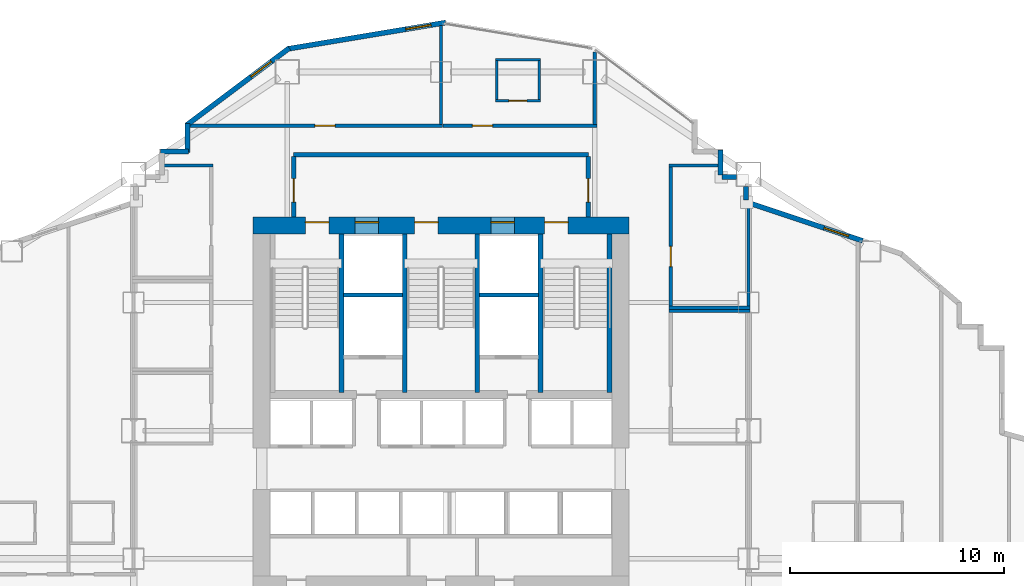
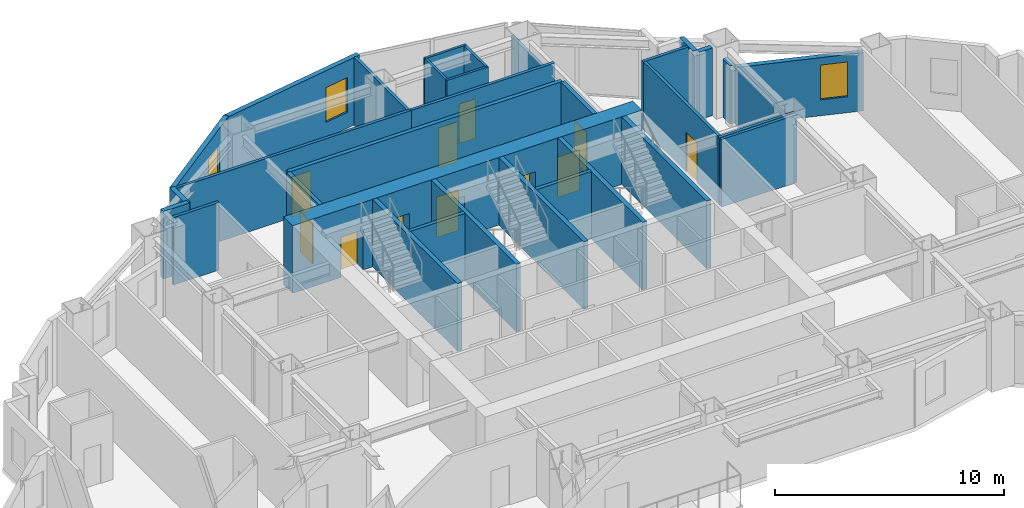
# One storey, part 11 of 15: 33 walls, 11 doors, 3 windows, 14 openings.
"""IFC4 building model written with IfcOpenShell, lengths in metres."""

import ifcopenshell
import ifcopenshell.guid

model = None  # the IFC model being written
_history = None  # IfcOwnerHistory: only IFC2X3 demands one
_inside = {}  # id of a spatial element -> (the spatial element, [elements in it])
_under = {}  # id of a project, library or spatial element -> (it, [spatial elements below it])
_declared = {}  # id of a project -> (the project, [libraries it declares])
_typed = {}  # id of a type object -> (the type object, [elements of that type])
_made_of = {}  # id of a material, layer set ... -> (it, [elements and type objects made of it])


def new_model(schema):
    """Start an empty IFC model of exactly this schema.

    Asked for "IFC4X3", IfcOpenShell would pick the latest addendum, in which some entities
    have other attributes; the version numbers below select the first issue.
    IFC2X3 requires an IfcOwnerHistory on every rooted entity: one is made here for all.
    """
    global model, _history
    if schema == "IFC4X3":
        model = ifcopenshell.file(schema_version=(4, 3, 0, 0))
    else:
        model = ifcopenshell.file(schema=schema)
    _inside.clear()
    _under.clear()
    _declared.clear()
    _typed.clear()
    _made_of.clear()
    _history = None
    if model.schema == "IFC2X3":
        org = make("IfcOrganization", Name="unknown")
        user = make(
            "IfcPersonAndOrganization",
            ThePerson=make("IfcPerson", FamilyName="unknown"),
            TheOrganization=org,
        )
        app = make(
            "IfcApplication",
            ApplicationDeveloper=org,
            Version="unknown",
            ApplicationFullName="unknown",
            ApplicationIdentifier="unknown",
        )
        _history = make(
            "IfcOwnerHistory",
            OwningUser=user,
            OwningApplication=app,
            ChangeAction="ADDED",
            CreationDate=0,
        )
    return model


def make(cls, **values):
    """One entity of the class cls with the attributes given. An attribute that is None is left unset."""
    return model.create_entity(
        cls, **{name: value for name, value in values.items() if value is not None}
    )


def rooted(cls, **values):
    """An entity with a GlobalId (a new one), such as an element, a storey or a relation."""
    return make(cls, GlobalId=ifcopenshell.guid.new(), OwnerHistory=_history, **values)


def si_unit(unit_type, name, prefix=None):
    """IfcSIUnit, for example si_unit("LENGTHUNIT", "METRE", prefix="MILLI")."""
    return make("IfcSIUnit", UnitType=unit_type, Prefix=prefix, Name=name)


def assignment(units):
    """IfcUnitAssignment: the units of a project."""
    return None if units is None else make("IfcUnitAssignment", Units=units)


def point(xyz):
    """IfcCartesianPoint."""
    return None if xyz is None else make("IfcCartesianPoint", Coordinates=xyz)


def direction(xyz):
    """IfcDirection."""
    return None if xyz is None else make("IfcDirection", DirectionRatios=xyz)


def frame(location, z_axis=None, x_axis=None):
    """IfcAxis2Placement3D, a coordinate frame: its origin and axes. An axis left out is left unset."""
    return make(
        "IfcAxis2Placement3D",
        Location=point(location),
        Axis=direction(z_axis),
        RefDirection=direction(x_axis),
    )


def frame_2d(location, x_axis=None):
    """IfcAxis2Placement2D, a coordinate frame in the plane: its origin and x axis."""
    return make(
        "IfcAxis2Placement2D", Location=point(location), RefDirection=direction(x_axis)
    )


def origin():
    """The frame at (0, 0, 0) with its axes left unset."""
    return frame((0.0, 0.0, 0.0))


def place(relative_to, where):
    """IfcLocalPlacement: puts the frame where relative to a parent placement (None: the world)."""
    return make(
        "IfcLocalPlacement", PlacementRelTo=relative_to, RelativePlacement=where
    )


def context(
    kind, dimensions, precision=None, world=None, true_north=None, identifier=None
):
    """IfcGeometricRepresentationContext, for example the 3D "Model" context."""
    return make(
        "IfcGeometricRepresentationContext",
        ContextIdentifier=identifier,
        ContextType=kind,
        CoordinateSpaceDimension=dimensions,
        Precision=precision,
        WorldCoordinateSystem=world,
        TrueNorth=true_north,
    )


def subcontext(parent, identifier, kind, view, scale=None):
    """IfcGeometricRepresentationSubContext, for example "Body" below "Model"."""
    return make(
        "IfcGeometricRepresentationSubContext",
        ContextIdentifier=identifier,
        ContextType=kind,
        ParentContext=parent,
        TargetScale=scale,
        TargetView=view,
    )


def project(units=None, contexts=None):
    """IfcProject with its units and contexts."""
    return rooted(
        "IfcProject",
        Name="project",
        RepresentationContexts=contexts,
        UnitsInContext=assignment(units),
    )


def spatial(cls, under=None, at=None, **own):
    """A site, building, storey or space (cls), placed at a placement, below another one or the project."""
    s = rooted(cls, ObjectPlacement=at, **own)
    if under is not None:
        _under.setdefault(under.id(), (under, []))[1].append(s)
    return s


def profile(cls, at=None, kind="AREA", **sizes):
    """A parametric profile (cls). Its sizes go by their IFC names, for example OverallWidth=200.0."""
    return make(cls, ProfileType=kind, Position=at, **sizes)


def rectangle(**sizes):
    """IfcRectangleProfileDef."""
    return profile("IfcRectangleProfileDef", **sizes)


def extrude(swept, where, along, depth):
    """IfcExtrudedAreaSolid: the profile swept, set in the frame where, extruded along a direction by depth."""
    return make(
        "IfcExtrudedAreaSolid",
        SweptArea=swept,
        Position=where,
        ExtrudedDirection=direction(along),
        Depth=depth,
    )


def shape(context_of_items, identifier, shape_type, items):
    """IfcShapeRepresentation: the items that make up one representation, for example the "Body"."""
    return make(
        "IfcShapeRepresentation",
        ContextOfItems=context_of_items,
        RepresentationIdentifier=identifier,
        RepresentationType=shape_type,
        Items=items,
    )


def material(Name=None, Category=None):
    """IfcMaterial."""
    return make("IfcMaterial", Name=Name, Category=Category)


def layer(
    of_material, thickness, ventilated=None, Name=None, Category=None, Priority=None
):
    """IfcMaterialLayer: one layer of a wall or slab, of a material (None: an air gap)."""
    return make(
        "IfcMaterialLayer",
        Material=of_material,
        LayerThickness=thickness,
        IsVentilated=ventilated,
        Name=Name,
        Category=Category,
        Priority=Priority,
    )


def layer_set(layers, Name=None):
    """IfcMaterialLayerSet."""
    return make("IfcMaterialLayerSet", MaterialLayers=layers, LayerSetName=Name)


def made_of(thing, what):
    """Note that an element or type object is made of a material, layer set ...; save() writes the relation."""
    if what is not None:
        _made_of.setdefault(what.id(), (what, []))[1].append(thing)
    return thing


def type_object(cls, material=None, **own):
    """A type object (cls), such as IfcWallType, which elements share."""
    return made_of(rooted(cls, **own), material)


def element(
    cls,
    number,
    at=None,
    inside=None,
    cuts=None,
    type_object=None,
    material=None,
    context=None,
    identifier="Body",
    shape_type=None,
    held_by="IfcProductDefinitionShape",
    body=None,
    shapes=None,
    **own,
):
    """One element of the class cls, such as IfcWall. Its Tag is "e" and its number.

    at: its placement. inside: the storey or other place that contains it. cuts: it is an
    opening in that element (IfcRelVoidsElement). A single representation is given by context,
    identifier, shape_type and body (its items); several are given by shapes. held_by: the class
    of the entity that holds the representations. save() writes the other relations.
    """
    e = rooted(cls, Tag="e%d" % number, ObjectPlacement=at, **own)
    if body is not None:
        shapes = [shape(context, identifier, shape_type, body)]
    if shapes is not None:
        e.Representation = make(held_by, Representations=shapes)
    if inside is not None:
        _inside.setdefault(inside.id(), (inside, []))[1].append(e)
    if cuts is not None:
        rooted(
            "IfcRelVoidsElement", RelatingBuildingElement=cuts, RelatedOpeningElement=e
        )
    if type_object is not None:
        _typed.setdefault(type_object.id(), (type_object, []))[1].append(e)
    return made_of(e, material)


def fill(opening, filler):
    """IfcRelFillsElement: the door or window that sits in an opening."""
    return rooted(
        "IfcRelFillsElement",
        RelatingOpeningElement=opening,
        RelatedBuildingElement=filler,
    )


def aggregate(whole, parts):
    """IfcRelAggregates: a whole, such as a stair, and the parts it consists of."""
    return rooted("IfcRelAggregates", RelatingObject=whole, RelatedObjects=parts)


def save(model, path):
    """Write the relations noted so far, then the file.

    IfcRelAggregates (storeys below a building ...), IfcRelContainedInSpatialStructure (elements
    in a storey), IfcRelDefinesByType, IfcRelAssociatesMaterial and IfcRelDeclares: one each for
    every whole, place, type object, material and project.
    """
    for whole, parts in _under.values():
        aggregate(whole, parts)
    for where, things in _inside.values():
        rooted(
            "IfcRelContainedInSpatialStructure",
            RelatedElements=things,
            RelatingStructure=where,
        )
    for kind, things in _typed.values():
        rooted("IfcRelDefinesByType", RelatedObjects=things, RelatingType=kind)
    for what, things in _made_of.values():
        rooted("IfcRelAssociatesMaterial", RelatedObjects=things, RelatingMaterial=what)
    for by, libraries in _declared.values():
        rooted("IfcRelDeclares", RelatingContext=by, RelatedDefinitions=libraries)
    model.write(path)


model = new_model("IFC4")

# Units and contexts
model_context = context("Model", 3, precision=1e-05, world=origin(), true_north=direction((0.0, 1.0)))
body_context = subcontext(model_context, "Body", "Model", "MODEL_VIEW")
ifc_project = project(units=[si_unit("LENGTHUNIT", "METRE"), si_unit("AREAUNIT", "SQUARE_METRE"), si_unit("VOLUMEUNIT", "CUBIC_METRE"), si_unit("PLANEANGLEUNIT", "RADIAN"), si_unit("MASSUNIT", "GRAM", prefix="KILO")], contexts=[model_context])

# Site, building, storey
site_placement = place(None, origin())
site = spatial("IfcSite", under=ifc_project, at=site_placement, CompositionType="ELEMENT")
building_placement = place(site_placement, origin())
building = spatial("IfcBuilding", under=site, at=building_placement, Name="Haolan Belvedere Tower", CompositionType="ELEMENT")
storey_placement = place(building_placement, frame((0.0, 0.0, 66.60009765625)))
storey = spatial("IfcBuildingStorey", under=building, at=storey_placement, Name="L16", CompositionType="ELEMENT", Elevation=66.60009765625)

# Wall, openings, doors
ifc_material_1 = material(Name="Concrete C70/85", Category="concrete")
ifc_layer_1 = layer(ifc_material_1, 0.800048828125, Name="Concrete C70/85")
ifc_layer_set_1 = layer_set([ifc_layer_1], Name="Concrete C70/85")
wall_type_1 = type_object("IfcWallType", Name="WL-CORE-800", PredefinedType="SHEAR", material=ifc_layer_set_1)
wall_1_placement = place(storey_placement, frame((29.60009765625, 43.199951171875, 0.0), z_axis=(0.0, 0.0, 1.0), x_axis=(1.0, 0.0, 0.0)))
wall_1 = element("IfcWall", 1, at=wall_1_placement, inside=storey, type_object=wall_type_1, Name="L16 central core north shear wall", PredefinedType="SHEAR", context=body_context, shape_type="SweptSolid", body=[
    extrude(rectangle(XDim=17.599853515625, YDim=0.800048828125, at=frame_2d((8.7998046875, 0.0))), origin(), (0.0, 0.0, 1.0), 3.599853515625),
])
opening_1_placement = place(wall_1_placement, frame((2.449951171875, 0.0, 0.0)))
opening_1 = element("IfcOpeningElement", 2, at=opening_1_placement, cuts=wall_1, Name="Opening FD-03", PredefinedType="OPENING", context=body_context, shape_type="SweptSolid", body=[
    extrude(rectangle(XDim=1.10009765625, YDim=2.14990234375, at=frame_2d((0.550048828125, 1.074951171875))), frame((0.0, 0.409912109375, 0.0), z_axis=(0.0, -1.0, 0.0), x_axis=(1.0, 0.0, 0.0)), (0.0, 0.0, 1.0), 0.820068359375),
])
opening_2_placement = place(wall_1_placement, frame((7.56005859375, 0.0, 0.0)))
opening_2 = element("IfcOpeningElement", 3, at=opening_2_placement, cuts=wall_1, Name="Opening FD-03", PredefinedType="OPENING", context=body_context, shape_type="SweptSolid", body=[
    extrude(rectangle(XDim=1.10009765625, YDim=2.14990234375, at=frame_2d((0.550048828125, 1.074951171875))), frame((0.0, 0.409912109375, 0.0), z_axis=(0.0, -1.0, 0.0), x_axis=(1.0, 0.0, 0.0)), (0.0, 0.0, 1.0), 0.820068359375),
])
opening_3_placement = place(wall_1_placement, frame((13.64990234375, 0.0, 0.0)))
opening_3 = element("IfcOpeningElement", 4, at=opening_3_placement, cuts=wall_1, Name="Opening FD-03", PredefinedType="OPENING", context=body_context, shape_type="SweptSolid", body=[
    extrude(rectangle(XDim=1.10009765625, YDim=2.14990234375, at=frame_2d((0.550048828125, 1.074951171875))), frame((0.0, 0.409912109375, 0.0), z_axis=(0.0, -1.0, 0.0), x_axis=(1.0, 0.0, 0.0)), (0.0, 0.0, 1.0), 0.820068359375),
])
opening_4_placement = place(wall_1_placement, frame((4.780029296875, 0.0, 0.0)))
opening_4 = element("IfcOpeningElement", 5, at=opening_4_placement, cuts=wall_1, Name="Opening LD-01", PredefinedType="OPENING", context=body_context, shape_type="SweptSolid", body=[
    extrude(rectangle(XDim=1.10009765625, YDim=2.199951171875, at=frame_2d((0.550048828125, 1.10009765625))), frame((0.0, 0.409912109375, 0.0), z_axis=(0.0, -1.0, 0.0), x_axis=(1.0, 0.0, 0.0)), (0.0, 0.0, 1.0), 0.820068359375),
])
opening_5_placement = place(wall_1_placement, frame((11.139892578125, 0.0, 0.0)))
opening_5 = element("IfcOpeningElement", 6, at=opening_5_placement, cuts=wall_1, Name="Opening LD-01", PredefinedType="OPENING", context=body_context, shape_type="SweptSolid", body=[
    extrude(rectangle(XDim=1.10009765625, YDim=2.199951171875, at=frame_2d((0.550048828125, 1.10009765625))), frame((0.0, 0.409912109375, 0.0), z_axis=(0.0, -1.0, 0.0), x_axis=(1.0, 0.0, 0.0)), (0.0, 0.0, 1.0), 0.820068359375),
])
ifc_material_2 = material(Name="Galvanised fire-rated steel", Category="steel")
door_type_1 = type_object("IfcDoorType", Name="DR-FD90-1100", OperationType="NOTDEFINED", PredefinedType="DOOR", material=ifc_material_2)
door_1_placement = place(opening_1_placement, origin())
door_1 = element("IfcDoor", 7, at=door_1_placement, inside=storey, type_object=door_type_1, Name="L16 door CD-L16-ST1", OperationType="SINGLE_SWING_LEFT", OverallHeight=2.14990234375, OverallWidth=1.10009765625, PredefinedType="DOOR", context=body_context, shape_type="SweptSolid", body=[
    extrude(rectangle(XDim=1.10009765625, YDim=2.14990234375, at=frame_2d((0.550048828125, 1.074951171875))), frame((0.0, 0.18505859375, 0.0), z_axis=(0.0, -1.0, 0.0), x_axis=(1.0, 0.0, 0.0)), (0.0, 0.0, 1.0), 0.050048828125),
])
fill(opening_1, door_1)
door_2_placement = place(opening_2_placement, origin())
door_2 = element("IfcDoor", 8, at=door_2_placement, inside=storey, type_object=door_type_1, Name="L16 door CD-L16-ST3", OperationType="SINGLE_SWING_LEFT", OverallHeight=2.14990234375, OverallWidth=1.10009765625, PredefinedType="DOOR", context=body_context, shape_type="SweptSolid", body=[
    extrude(rectangle(XDim=1.10009765625, YDim=2.14990234375, at=frame_2d((0.550048828125, 1.074951171875))), frame((0.0, 0.18505859375, 0.0), z_axis=(0.0, -1.0, 0.0), x_axis=(1.0, 0.0, 0.0)), (0.0, 0.0, 1.0), 0.050048828125),
])
fill(opening_2, door_2)
door_3_placement = place(opening_3_placement, origin())
door_3 = element("IfcDoor", 9, at=door_3_placement, inside=storey, type_object=door_type_1, Name="L16 door CD-L16-ST2", OperationType="SINGLE_SWING_RIGHT", OverallHeight=2.14990234375, OverallWidth=1.10009765625, PredefinedType="DOOR", context=body_context, shape_type="SweptSolid", body=[
    extrude(rectangle(XDim=1.10009765625, YDim=2.14990234375, at=frame_2d((0.550048828125, 1.074951171875))), frame((0.0, 0.18505859375, 0.0), z_axis=(0.0, -1.0, 0.0), x_axis=(1.0, 0.0, 0.0)), (0.0, 0.0, 1.0), 0.050048828125),
])
fill(opening_3, door_3)
ifc_material_3 = material(Name="Brushed champagne stainless steel 316L", Category="steel")
door_type_2 = type_object("IfcDoorType", Name="DR-LIFT-1100", OperationType="SLIDING_TO_LEFT", PredefinedType="DOOR", material=ifc_material_3)
door_4_placement = place(opening_4_placement, origin())
door_4 = element("IfcDoor", 10, at=door_4_placement, inside=storey, type_object=door_type_2, Name="L16 door LD-L16-FF1", OperationType="SLIDING_TO_LEFT", OverallHeight=2.199951171875, OverallWidth=1.10009765625, PredefinedType="DOOR", context=body_context, shape_type="SweptSolid", body=[
    extrude(rectangle(XDim=1.10009765625, YDim=2.199951171875, at=frame_2d((0.550048828125, 1.10009765625))), frame((0.0, 0.18505859375, 0.0), z_axis=(0.0, -1.0, 0.0), x_axis=(1.0, 0.0, 0.0)), (0.0, 0.0, 1.0), 0.050048828125),
])
fill(opening_4, door_4)
door_5_placement = place(opening_5_placement, origin())
door_5 = element("IfcDoor", 11, at=door_5_placement, inside=storey, type_object=door_type_2, Name="L16 door LD-L16-FF2", OperationType="SLIDING_TO_LEFT", OverallHeight=2.199951171875, OverallWidth=1.10009765625, PredefinedType="DOOR", context=body_context, shape_type="SweptSolid", body=[
    extrude(rectangle(XDim=1.10009765625, YDim=2.199951171875, at=frame_2d((0.550048828125, 1.10009765625))), frame((0.0, 0.18505859375, 0.0), z_axis=(0.0, -1.0, 0.0), x_axis=(1.0, 0.0, 0.0)), (0.0, 0.0, 1.0), 0.050048828125),
])
fill(opening_5, door_5)

# Wall, opening, window
ifc_material_4 = material(Name="Precast concrete C40/50", Category="concrete")
ifc_layer_2 = layer(ifc_material_4, 0.239990234375, Name="Precast concrete C40/50")
ifc_layer_set_2 = layer_set([ifc_layer_2], Name="Precast concrete C40/50")
wall_type_2 = type_object("IfcWallType", Name="WL-EXT-240", PredefinedType="SOLIDWALL", material=ifc_layer_set_2)
wall_2_placement = place(storey_placement, frame((58.14453125, 42.491943359375, 0.0), z_axis=(0.0, 0.0, 1.0), x_axis=(-0.948683298051, 0.316227766017, 0.0)))
wall_2 = element("IfcWall", 12, at=wall_2_placement, inside=storey, type_object=wall_type_2, Name="L16 pale-metal exterior spandrel wall 35.2", PredefinedType="SOLIDWALL", context=body_context, shape_type="SweptSolid", body=[
    extrude(rectangle(XDim=5.67529296875, YDim=0.239990234375, at=frame_2d((2.837646484375, 0.0))), origin(), (0.0, 0.0, 1.0), 3.096923828125),
])
opening_6_placement = place(wall_2_placement, frame((0.699951171875, 0.0, 0.85009765625)))
opening_6 = element("IfcOpeningElement", 13, at=opening_6_placement, cuts=wall_2, Name="Opening W-01", PredefinedType="OPENING", context=body_context, shape_type="SweptSolid", body=[
    extrude(rectangle(XDim=1.199951171875, YDim=1.85009765625, at=frame_2d((0.60009765625, 0.925048828125))), frame((0.0, 0.1298828125, 0.0), z_axis=(0.0, -1.0, 0.0), x_axis=(1.0, 0.0, 0.0)), (0.0, 0.0, 1.0), 0.260009765625),
])
ifc_material_5 = material(Name="Anodised aluminium 6063-T6 and Low-E glass", Category="aluminium")
window_type = type_object("IfcWindowType", Name="WN-DECO-Z1", PartitioningType="SINGLE_PANEL", PredefinedType="WINDOW", material=ifc_material_5)
window_1_placement = place(opening_6_placement, origin())
window_1 = element("IfcWindow", 14, at=window_1_placement, inside=storey, type_object=window_type, Name="L16 Art Deco chevron window 1", OverallHeight=1.85009765625, OverallWidth=1.199951171875, PartitioningType="SINGLE_PANEL", PredefinedType="WINDOW", context=body_context, shape_type="SweptSolid", body=[
    extrude(rectangle(XDim=1.199951171875, YDim=1.85009765625, at=frame_2d((0.60009765625, 0.925048828125))), frame((0.0, 0.030029296875, 0.0), z_axis=(0.0, -1.0, 0.0), x_axis=(1.0, 0.0, 0.0)), (0.0, 0.0, 1.0), 0.06005859375),
])
fill(opening_6, window_1)

# Walls
wall_3_placement = place(storey_placement, frame((52.679931640625, 44.3984375, 0.0), z_axis=(0.0, 0.0, 1.0), x_axis=(0.0, 1.0, 0.0)))
element("IfcWall", 15, at=wall_3_placement, inside=storey, type_object=wall_type_2, Name="L16 pale-metal exterior spandrel wall 36.1", PredefinedType="SOLIDWALL", context=body_context, shape_type="SweptSolid", body=[
    extrude(rectangle(XDim=0.634521484375, YDim=0.239990234375, at=frame_2d((0.3173828125, 0.0))), origin(), (0.0, 0.0, 1.0), 3.096923828125),
])
wall_4_placement = place(storey_placement, frame((52.23291015625, 45.47998046875, 0.0), z_axis=(0.0, 0.0, 1.0), x_axis=(-1.0, 0.0, 0.0)))
element("IfcWall", 16, at=wall_4_placement, inside=storey, type_object=wall_type_2, Name="L16 pale-metal exterior spandrel wall 37.1", PredefinedType="SOLIDWALL", context=body_context, shape_type="SweptSolid", body=[
    extrude(rectangle(XDim=0.66796875, YDim=0.239990234375, at=frame_2d((0.333984375, 0.0))), origin(), (0.0, 0.0, 1.0), 3.599853515625),
])
wall_5_placement = place(storey_placement, frame((51.47998046875, 45.56494140625, 0.0), z_axis=(0.0, 0.0, 1.0), x_axis=(0.0, 1.0, 0.0)))
element("IfcWall", 17, at=wall_5_placement, inside=storey, type_object=wall_type_2, Name="L16 pale-metal exterior spandrel wall 38.1", PredefinedType="SOLIDWALL", context=body_context, shape_type="SweptSolid", body=[
    extrude(rectangle(XDim=1.170166015625, YDim=0.239990234375, at=frame_2d((0.5849609375, 0.0))), origin(), (0.0, 0.0, 1.0), 3.599853515625),
])

# Wall, opening, window
wall_6_placement = place(storey_placement, frame((38.621826171875, 52.71533203125, 0.0), z_axis=(0.0, 0.0, 1.0), x_axis=(-0.98639129485, -0.164414760418, 0.0)))
wall_6 = element("IfcWall", 18, at=wall_6_placement, inside=storey, type_object=wall_type_2, Name="L16 pale-metal exterior spandrel wall 43.1", PredefinedType="SOLIDWALL", context=body_context, shape_type="SweptSolid", body=[
    extrude(rectangle(XDim=7.530029296875, YDim=0.239990234375, at=frame_2d((3.76513671875, 0.0))), origin(), (0.0, 0.0, 1.0), 3.599853515625),
])
opening_7_placement = place(wall_6_placement, frame((0.699951171875, 0.0, 0.85009765625)))
opening_7 = element("IfcOpeningElement", 19, at=opening_7_placement, cuts=wall_6, Name="Opening W-01", PredefinedType="OPENING", context=body_context, shape_type="SweptSolid", body=[
    extrude(rectangle(XDim=1.199951171875, YDim=1.85009765625, at=frame_2d((0.60009765625, 0.925048828125))), frame((0.0, 0.1298828125, 0.0), z_axis=(0.0, -1.0, 0.0), x_axis=(1.0, 0.0, 0.0)), (0.0, 0.0, 1.0), 0.260009765625),
])
window_2_placement = place(opening_7_placement, origin())
window_2 = element("IfcWindow", 20, at=window_2_placement, inside=storey, type_object=window_type, Name="L16 Art Deco chevron window 1", OverallHeight=1.85009765625, OverallWidth=1.199951171875, PartitioningType="SINGLE_PANEL", PredefinedType="WINDOW", context=body_context, shape_type="SweptSolid", body=[
    extrude(rectangle(XDim=1.199951171875, YDim=1.85009765625, at=frame_2d((0.60009765625, 0.925048828125))), frame((0.0, 0.030029296875, 0.0), z_axis=(0.0, -1.0, 0.0), x_axis=(1.0, 0.0, 0.0)), (0.0, 0.0, 1.0), 0.06005859375),
])
fill(opening_7, window_2)

wall_7_placement = place(storey_placement, frame((31.29248046875, 51.519287109375, 0.0), z_axis=(0.0, 0.0, 1.0), x_axis=(-0.8, -0.6, 0.0)))
wall_7 = element("IfcWall", 21, at=wall_7_placement, inside=storey, type_object=wall_type_2, Name="L16 pale-metal exterior spandrel wall 44.1", PredefinedType="SOLIDWALL", context=body_context, shape_type="SweptSolid", body=[
    extrude(rectangle(XDim=6.0205078125, YDim=0.239990234375, at=frame_2d((3.01025390625, 0.0))), origin(), (0.0, 0.0, 1.0), 3.599853515625),
])
opening_8_placement = place(wall_7_placement, frame((1.047119140625, 0.0, 0.85009765625)))
opening_8 = element("IfcOpeningElement", 22, at=opening_8_placement, cuts=wall_7, Name="Opening W-01", PredefinedType="OPENING", context=body_context, shape_type="SweptSolid", body=[
    extrude(rectangle(XDim=1.199951171875, YDim=1.85009765625, at=frame_2d((0.60009765625, 0.925048828125))), frame((0.0, 0.1298828125, 0.0), z_axis=(0.0, -1.0, 0.0), x_axis=(1.0, 0.0, 0.0)), (0.0, 0.0, 1.0), 0.260009765625),
])
window_3_placement = place(opening_8_placement, origin())
window_3 = element("IfcWindow", 23, at=window_3_placement, inside=storey, type_object=window_type, Name="L16 Art Deco chevron window 1", OverallHeight=1.85009765625, OverallWidth=1.199951171875, PartitioningType="SINGLE_PANEL", PredefinedType="WINDOW", context=body_context, shape_type="SweptSolid", body=[
    extrude(rectangle(XDim=1.199951171875, YDim=1.85009765625, at=frame_2d((0.60009765625, 0.925048828125))), frame((0.0, 0.030029296875, 0.0), z_axis=(0.0, -1.0, 0.0), x_axis=(1.0, 0.0, 0.0)), (0.0, 0.0, 1.0), 0.06005859375),
])
fill(opening_8, window_3)

# Walls
wall_8_placement = place(storey_placement, frame((26.52001953125, 47.9951171875, 0.0), z_axis=(0.0, 0.0, 1.0), x_axis=(0.0, -1.0, 0.0)))
element("IfcWall", 24, at=wall_8_placement, inside=storey, type_object=wall_type_2, Name="L16 pale-metal exterior spandrel wall 45.1", PredefinedType="SOLIDWALL", context=body_context, shape_type="SweptSolid", body=[
    extrude(rectangle(XDim=1.3701171875, YDim=0.239990234375, at=frame_2d((0.68505859375, 0.0))), origin(), (0.0, 0.0, 1.0), 3.599853515625),
])
wall_9_placement = place(storey_placement, frame((26.574951171875, 46.679931640625, 0.0), z_axis=(0.0, 0.0, 1.0), x_axis=(-1.0, 0.0, 0.0)))
element("IfcWall", 25, at=wall_9_placement, inside=storey, type_object=wall_type_2, Name="L16 pale-metal exterior spandrel wall 46.1", PredefinedType="SOLIDWALL", context=body_context, shape_type="SweptSolid", body=[
    extrude(rectangle(XDim=1.31005859375, YDim=0.239990234375, at=frame_2d((0.655029296875, 0.0))), origin(), (0.0, 0.0, 1.0), 3.599853515625),
])
ifc_material_6 = material(Name="Concrete C40/50", Category="concrete")
ifc_layer_3 = layer(ifc_material_6, 0.199951171875, Name="Concrete C40/50")
ifc_layer_set_3 = layer_set([ifc_layer_3], Name="Concrete C40/50")
wall_type_3 = type_object("IfcWallType", Name="WL-FIRE-200", PredefinedType="SOLIDWALL", material=ifc_layer_set_3)
wall_10_placement = place(storey_placement, frame((31.5, 46.52001953125, 0.0), z_axis=(0.0, 0.0, 1.0), x_axis=(1.0, 0.0, 0.0)))
element("IfcWall", 26, at=wall_10_placement, inside=storey, type_object=wall_type_3, Name="L16 interior partition IW-L16-FFL-N", PredefinedType="SOLIDWALL", context=body_context, shape_type="SweptSolid", body=[
    extrude(rectangle(XDim=13.800048828125, YDim=0.199951171875, at=frame_2d((6.89990234375, 0.0))), origin(), (0.0, 0.0, 1.0), 3.599853515625),
])

# Wall, opening, door
wall_11_placement = place(storey_placement, frame((31.5, 43.60009765625, 0.0), z_axis=(0.0, 0.0, 1.0), x_axis=(0.0, 1.0, 0.0)))
wall_11 = element("IfcWall", 27, at=wall_11_placement, inside=storey, type_object=wall_type_3, Name="L16 interior partition IW-L16-FFL-W", PredefinedType="SOLIDWALL", context=body_context, shape_type="SweptSolid", body=[
    extrude(rectangle(XDim=2.8349609375, YDim=0.199951171875, at=frame_2d((1.41748046875, 0.0))), origin(), (0.0, 0.0, 1.0), 3.599853515625),
])
opening_9_placement = place(wall_11_placement, frame((1.800048828125, 0.0, 0.0), z_axis=(0.0, 0.0, 1.0), x_axis=(-1.0, 0.0, 0.0)))
opening_9 = element("IfcOpeningElement", 28, at=opening_9_placement, cuts=wall_11, Name="Opening FD-03", PredefinedType="OPENING", context=body_context, shape_type="SweptSolid", body=[
    extrude(rectangle(XDim=1.10009765625, YDim=2.14990234375, at=frame_2d((0.550048828125, 1.074951171875))), frame((0.0, 0.10986328125, 0.0), z_axis=(0.0, -1.0, 0.0), x_axis=(1.0, 0.0, 0.0)), (0.0, 0.0, 1.0), 0.219970703125),
])
door_6_placement = place(opening_9_placement, origin())
door_6 = element("IfcDoor", 29, at=door_6_placement, inside=storey, type_object=door_type_1, Name="L16 door ID-L16-FFL-DW", OperationType="SINGLE_SWING_LEFT", OverallHeight=2.14990234375, OverallWidth=1.10009765625, PredefinedType="DOOR", context=body_context, shape_type="SweptSolid", body=[
    extrude(rectangle(XDim=1.10009765625, YDim=2.14990234375, at=frame_2d((0.550048828125, 1.074951171875))), frame((0.0, 0.02490234375, 0.0), z_axis=(0.0, -1.0, 0.0), x_axis=(1.0, 0.0, 0.0)), (0.0, 0.0, 1.0), 0.050048828125),
])
fill(opening_9, door_6)

wall_12_placement = place(storey_placement, frame((45.300048828125, 43.60009765625, 0.0), z_axis=(0.0, 0.0, 1.0), x_axis=(0.0, 1.0, 0.0)))
wall_12 = element("IfcWall", 30, at=wall_12_placement, inside=storey, type_object=wall_type_3, Name="L16 interior partition IW-L16-FFL-E", PredefinedType="SOLIDWALL", context=body_context, shape_type="SweptSolid", body=[
    extrude(rectangle(XDim=2.8349609375, YDim=0.199951171875, at=frame_2d((1.41748046875, 0.0))), origin(), (0.0, 0.0, 1.0), 3.599853515625),
])
opening_10_placement = place(wall_12_placement, frame((0.699951171875, 0.0, 0.0)))
opening_10 = element("IfcOpeningElement", 31, at=opening_10_placement, cuts=wall_12, Name="Opening FD-03", PredefinedType="OPENING", context=body_context, shape_type="SweptSolid", body=[
    extrude(rectangle(XDim=1.10009765625, YDim=2.14990234375, at=frame_2d((0.550048828125, 1.074951171875))), frame((0.0, 0.10986328125, 0.0), z_axis=(0.0, -1.0, 0.0), x_axis=(1.0, 0.0, 0.0)), (0.0, 0.0, 1.0), 0.219970703125),
])
door_7_placement = place(opening_10_placement, origin())
door_7 = element("IfcDoor", 32, at=door_7_placement, inside=storey, type_object=door_type_1, Name="L16 door ID-L16-FFL-DE", OperationType="SINGLE_SWING_RIGHT", OverallHeight=2.14990234375, OverallWidth=1.10009765625, PredefinedType="DOOR", context=body_context, shape_type="SweptSolid", body=[
    extrude(rectangle(XDim=1.10009765625, YDim=2.14990234375, at=frame_2d((0.550048828125, 1.074951171875))), frame((0.0, 0.02490234375, 0.0), z_axis=(0.0, -1.0, 0.0), x_axis=(1.0, 0.0, 0.0)), (0.0, 0.0, 1.0), 0.050048828125),
])
fill(opening_10, door_7)

# Walls
ifc_material_7 = material(Name="Double gypsum acoustic stud partition", Category="masonry")
ifc_layer_4 = layer(ifc_material_7, 0.14990234375, Name="Double gypsum acoustic stud partition")
ifc_layer_set_4 = layer_set([ifc_layer_4], Name="Double gypsum acoustic stud partition")
wall_type_4 = type_object("IfcWallType", Name="WL-PART-150", PredefinedType="PARTITIONING", material=ifc_layer_set_4)
wall_13_placement = place(storey_placement, frame((25.425048828125, 46.02001953125, 0.0), z_axis=(0.0, 0.0, 1.0), x_axis=(1.0, 0.0, 0.0)))
element("IfcWall", 33, at=wall_13_placement, inside=storey, type_object=wall_type_4, Name="L16 interior partition IW-L16-STY-N", PredefinedType="PARTITIONING", context=body_context, shape_type="SweptSolid", body=[
    extrude(rectangle(XDim=2.294921875, YDim=0.14990234375, at=frame_2d((1.1474609375, 0.0))), origin(), (0.0, 0.0, 1.0), 3.599853515625),
])
wall_14_placement = place(storey_placement, frame((49.080078125, 39.199951171875, 0.0), z_axis=(0.0, 0.0, 1.0), x_axis=(1.0, 0.0, 0.0)))
element("IfcWall", 34, at=wall_14_placement, inside=storey, type_object=wall_type_4, Name="L16 interior partition IW-L16-HSK-N", PredefinedType="PARTITIONING", context=body_context, shape_type="SweptSolid", body=[
    extrude(rectangle(XDim=3.7998046875, YDim=0.14990234375, at=frame_2d((1.89990234375, 0.0))), origin(), (0.0, 0.0, 1.0), 3.599853515625),
])
wall_15_placement = place(storey_placement, frame((49.080078125, 46.02001953125, 0.0), z_axis=(0.0, 0.0, 1.0), x_axis=(1.0, 0.0, 0.0)))
element("IfcWall", 35, at=wall_15_placement, inside=storey, type_object=wall_type_4, Name="L16 interior partition IW-L16-MTG-N", PredefinedType="PARTITIONING", context=body_context, shape_type="SweptSolid", body=[
    extrude(rectangle(XDim=2.294921875, YDim=0.14990234375, at=frame_2d((1.1474609375, 0.0))), origin(), (0.0, 0.0, 1.0), 3.599853515625),
])
wall_16_placement = place(storey_placement, frame((49.080078125, 39.360107421875, 0.0), z_axis=(0.0, 0.0, 1.0), x_axis=(1.0, 0.0, 0.0)))
element("IfcWall", 36, at=wall_16_placement, inside=storey, type_object=wall_type_4, Name="L16 interior partition IW-L16-MTG-S", PredefinedType="PARTITIONING", context=body_context, shape_type="SweptSolid", body=[
    extrude(rectangle(XDim=3.7998046875, YDim=0.14990234375, at=frame_2d((1.89990234375, 0.0))), origin(), (0.0, 0.0, 1.0), 3.599853515625),
])

# Wall, opening, door
wall_17_placement = place(storey_placement, frame((49.159912109375, 39.419921875, 0.0), z_axis=(0.0, 0.0, 1.0), x_axis=(0.0, 1.0, 0.0)))
wall_17 = element("IfcWall", 37, at=wall_17_placement, inside=storey, type_object=wall_type_4, Name="L16 interior partition IW-L16-MTG-W", PredefinedType="PARTITIONING", context=body_context, shape_type="SweptSolid", body=[
    extrude(rectangle(XDim=6.5400390625, YDim=0.14990234375, at=frame_2d((3.27001953125, 0.0))), origin(), (0.0, 0.0, 1.0), 3.599853515625),
])
opening_11_placement = place(wall_17_placement, frame((1.860107421875, 0.0, 0.0)))
opening_11 = element("IfcOpeningElement", 38, at=opening_11_placement, cuts=wall_17, Name="Opening ID-03", PredefinedType="OPENING", context=body_context, shape_type="SweptSolid", body=[
    extrude(rectangle(XDim=0.949951171875, YDim=2.1201171875, at=frame_2d((0.47509765625, 1.06005859375))), frame((0.0, 0.0849609375, 0.0), z_axis=(0.0, -1.0, 0.0), x_axis=(1.0, 0.0, 0.0)), (0.0, 0.0, 1.0), 0.169921875),
])
ifc_material_8 = material(Name="Painted solid-core timber", Category="wood")
door_type_3 = type_object("IfcDoorType", Name="DR-INT-950", OperationType="NOTDEFINED", PredefinedType="DOOR", material=ifc_material_8)
door_8_placement = place(opening_11_placement, origin())
door_8 = element("IfcDoor", 39, at=door_8_placement, inside=storey, type_object=door_type_3, Name="L16 door ID-L16-MTG", OperationType="SINGLE_SWING_LEFT", OverallHeight=2.1201171875, OverallWidth=0.949951171875, PredefinedType="DOOR", context=body_context, shape_type="SweptSolid", body=[
    extrude(rectangle(XDim=0.949951171875, YDim=2.1201171875, at=frame_2d((0.47509765625, 1.06005859375))), frame((0.0, 0.02490234375, 0.0), z_axis=(0.0, -1.0, 0.0), x_axis=(1.0, 0.0, 0.0)), (0.0, 0.0, 1.0), 0.050048828125),
])
fill(opening_11, door_8)

# Wall
wall_18_placement = place(storey_placement, frame((52.800048828125, 39.419921875, 0.0), z_axis=(0.0, 0.0, 1.0), x_axis=(0.0, 1.0, 0.0)))
element("IfcWall", 40, at=wall_18_placement, inside=storey, type_object=wall_type_4, Name="L16 interior partition IW-L16-MTG-E", PredefinedType="PARTITIONING", context=body_context, shape_type="SweptSolid", body=[
    extrude(rectangle(XDim=4.742919921875, YDim=0.14990234375, at=frame_2d((2.37158203125, 0.0))), origin(), (0.0, 0.0, 1.0), 3.096923828125),
])

# Wall, opening, door
wall_19_placement = place(storey_placement, frame((26.625, 47.8798828125, 0.0), z_axis=(0.0, 0.0, 1.0), x_axis=(1.0, 0.0, 0.0)))
wall_19 = element("IfcWall", 41, at=wall_19_placement, inside=storey, type_object=wall_type_4, Name="L16 interior partition IW-L16-KN1-S", PredefinedType="PARTITIONING", context=body_context, shape_type="SweptSolid", body=[
    extrude(rectangle(XDim=11.85498046875, YDim=0.14990234375, at=frame_2d((5.927490234375, 0.0))), origin(), (0.0, 0.0, 1.0), 3.599853515625),
])
opening_12_placement = place(wall_19_placement, frame((5.8701171875, 0.0, 0.0)))
opening_12 = element("IfcOpeningElement", 42, at=opening_12_placement, cuts=wall_19, Name="Opening ID-03", PredefinedType="OPENING", context=body_context, shape_type="SweptSolid", body=[
    extrude(rectangle(XDim=0.949951171875, YDim=2.1201171875, at=frame_2d((0.47509765625, 1.06005859375))), frame((0.0, 0.0849609375, 0.0), z_axis=(0.0, -1.0, 0.0), x_axis=(1.0, 0.0, 0.0)), (0.0, 0.0, 1.0), 0.169921875),
])
door_9_placement = place(opening_12_placement, origin())
door_9 = element("IfcDoor", 43, at=door_9_placement, inside=storey, type_object=door_type_3, Name="L16 door ID-L16-KN1", OperationType="SINGLE_SWING_LEFT", OverallHeight=2.1201171875, OverallWidth=0.949951171875, PredefinedType="DOOR", context=body_context, shape_type="SweptSolid", body=[
    extrude(rectangle(XDim=0.949951171875, YDim=2.1201171875, at=frame_2d((0.47509765625, 1.06005859375))), frame((0.0, 0.02490234375, 0.0), z_axis=(0.0, -1.0, 0.0), x_axis=(1.0, 0.0, 0.0)), (0.0, 0.0, 1.0), 0.050048828125),
])
fill(opening_12, door_9)

# Wall
wall_20_placement = place(storey_placement, frame((38.39990234375, 47.93994140625, 0.0), z_axis=(0.0, 0.0, 1.0), x_axis=(0.0, 1.0, 0.0)))
element("IfcWall", 44, at=wall_20_placement, inside=storey, type_object=wall_type_4, Name="L16 interior partition IW-L16-KN1-E", PredefinedType="PARTITIONING", context=body_context, shape_type="SweptSolid", body=[
    extrude(rectangle(XDim=4.632080078125, YDim=0.14990234375, at=frame_2d((2.31591796875, 0.0))), origin(), (0.0, 0.0, 1.0), 3.599853515625),
])

# Wall, opening, door
wall_21_placement = place(storey_placement, frame((38.48193359375, 47.8798828125, 0.0), z_axis=(0.0, 0.0, 1.0), x_axis=(1.0, 0.0, 0.0)))
wall_21 = element("IfcWall", 45, at=wall_21_placement, inside=storey, type_object=wall_type_4, Name="L16 interior partition IW-L16-KN2-S", PredefinedType="PARTITIONING", context=body_context, shape_type="SweptSolid", body=[
    extrude(rectangle(XDim=7.218017578125, YDim=0.14990234375, at=frame_2d((3.60888671875, 0.0))), origin(), (0.0, 0.0, 1.0), 3.599853515625),
])
opening_13_placement = place(wall_21_placement, frame((1.384521484375, 0.0, 0.0)))
opening_13 = element("IfcOpeningElement", 46, at=opening_13_placement, cuts=wall_21, Name="Opening ID-02", PredefinedType="OPENING", context=body_context, shape_type="SweptSolid", body=[
    extrude(rectangle(XDim=0.949951171875, YDim=2.14990234375, at=frame_2d((0.47509765625, 1.074951171875))), frame((0.0, 0.0849609375, 0.0), z_axis=(0.0, -1.0, 0.0), x_axis=(1.0, 0.0, 0.0)), (0.0, 0.0, 1.0), 0.169921875),
])
ifc_material_9 = material(Name="Acoustic oak veneer fire-rated timber", Category="wood")
door_type_4 = type_object("IfcDoorType", Name="DR-GUEST-950", OperationType="NOTDEFINED", PredefinedType="DOOR", material=ifc_material_9)
door_10_placement = place(opening_13_placement, origin())
door_10 = element("IfcDoor", 47, at=door_10_placement, inside=storey, type_object=door_type_4, Name="L16 door ID-L16-KN2-ENT", OperationType="SINGLE_SWING_RIGHT", OverallHeight=2.14990234375, OverallWidth=0.949951171875, PredefinedType="DOOR", context=body_context, shape_type="SweptSolid", body=[
    extrude(rectangle(XDim=0.949951171875, YDim=2.14990234375, at=frame_2d((0.47509765625, 1.074951171875))), frame((0.0, 0.02490234375, 0.0), z_axis=(0.0, -1.0, 0.0), x_axis=(1.0, 0.0, 0.0)), (0.0, 0.0, 1.0), 0.050048828125),
])
fill(opening_13, door_10)

# Walls
wall_22_placement = place(storey_placement, frame((45.60009765625, 47.93994140625, 0.0), z_axis=(0.0, 0.0, 1.0), x_axis=(0.0, 1.0, 0.0)))
element("IfcWall", 48, at=wall_22_placement, inside=storey, type_object=wall_type_4, Name="L16 interior partition IW-L16-KN2-E", PredefinedType="PARTITIONING", context=body_context, shape_type="SweptSolid", body=[
    extrude(rectangle(XDim=3.39501953125, YDim=0.14990234375, at=frame_2d((1.697509765625, 0.0))), origin(), (0.0, 0.0, 1.0), 2.98486328125),
])
ifc_layer_5 = layer(ifc_material_4, 0.179931640625, Name="Precast concrete C40/50")
ifc_layer_set_5 = layer_set([ifc_layer_5], Name="Precast concrete C40/50")
wall_type_5 = type_object("IfcWallType", Name="WL-SHAFT-180", PredefinedType="SOLIDWALL", material=ifc_layer_set_5)
for number, where, z_axis, x_axis, name in (
    (49, (33.8349609375, 39.949951171875, 0.0), (0.0, 0.0, 1.0), (1.0, 0.0, 0.0), "L16 interior partition IW-L16-FF1-S"),
    (50, (40.195068359375, 39.949951171875, 0.0), (0.0, 0.0, 1.0), (1.0, 0.0, 0.0), "L16 interior partition IW-L16-FF2-S"),
):
    element("IfcWall", number, at=place(storey_placement, frame(where, z_axis=z_axis, x_axis=x_axis)), inside=storey, type_object=wall_type_5, Name=name, PredefinedType="SOLIDWALL", context=body_context, shape_type="SweptSolid", body=[
        extrude(rectangle(XDim=2.77001953125, YDim=0.179931640625, at=frame_2d((1.385009765625, 0.0))), origin(), (0.0, 0.0, 1.0), 3.599853515625),
    ])
ifc_material_10 = material(Name="Concrete C50/60", Category="concrete")
ifc_layer_6 = layer(ifc_material_10, 0.219970703125, Name="Concrete C50/60")
ifc_layer_set_6 = layer_set([ifc_layer_6], Name="Concrete C50/60")
wall_type_6 = type_object("IfcWallType", Name="WL-STAIR-220", PredefinedType="SHEAR", material=ifc_layer_set_6)
for number, where, z_axis, x_axis, name in (
    (51, (33.739990234375, 35.389892578125, 0.0), (0.0, 0.0, 1.0), (0.0, 1.0, 0.0), "L16 structural stair core wall ST1E"),
    (52, (36.699951171875, 35.389892578125, 0.0), (0.0, 0.0, 1.0), (0.0, 1.0, 0.0), "L16 structural stair core wall ST3W"),
    (53, (40.10009765625, 35.389892578125, 0.0), (0.0, 0.0, 1.0), (0.0, 1.0, 0.0), "L16 structural stair core wall ST3E"),
    (54, (43.06005859375, 35.389892578125, 0.0), (0.0, 0.0, 1.0), (0.0, 1.0, 0.0), "L16 structural stair core wall ST2W"),
    (55, (46.2880859375, 35.389892578125, 0.0), (0.0, 0.0, 1.0), (0.0, 1.0, 0.0), "L16 structural stair core wall ST2E"),
):
    element("IfcWall", number, at=place(storey_placement, frame(where, z_axis=z_axis, x_axis=x_axis)), inside=storey, type_object=wall_type_6, Name=name, PredefinedType="SHEAR", context=body_context, shape_type="SweptSolid", body=[
        extrude(rectangle(XDim=7.41015625, YDim=0.219970703125, at=frame_2d((3.705078125, 0.0))), origin(), (0.0, 0.0, 1.0), 3.599853515625),
    ])
ifc_material_11 = material(Name="Moisture-resistant gypsum tile partition", Category="masonry")
ifc_layer_7 = layer(ifc_material_11, 0.1201171875, Name="Moisture-resistant gypsum tile partition")
ifc_layer_set_7 = layer_set([ifc_layer_7], Name="Moisture-resistant gypsum tile partition")
wall_type_7 = type_object("IfcWallType", Name="WL-WET-120", PredefinedType="PARTITIONING", material=ifc_layer_set_7)
wall_23_placement = place(storey_placement, frame((40.949951171875, 50.97998046875, 0.0), z_axis=(0.0, 0.0, 1.0), x_axis=(1.0, 0.0, 0.0)))
element("IfcWall", 56, at=wall_23_placement, inside=storey, type_object=wall_type_7, Name="L16 interior partition IW-L16-KN2-BN", PredefinedType="PARTITIONING", context=body_context, shape_type="SweptSolid", body=[
    extrude(rectangle(XDim=2.10009765625, YDim=0.1201171875, at=frame_2d((1.050048828125, 0.0))), origin(), (0.0, 0.0, 1.0), 3.599853515625),
])

# Wall, opening, door
wall_24_placement = place(storey_placement, frame((40.949951171875, 49.06005859375, 0.0), z_axis=(0.0, 0.0, 1.0), x_axis=(1.0, 0.0, 0.0)))
wall_24 = element("IfcWall", 57, at=wall_24_placement, inside=storey, type_object=wall_type_7, Name="L16 interior partition IW-L16-KN2-BS", PredefinedType="PARTITIONING", context=body_context, shape_type="SweptSolid", body=[
    extrude(rectangle(XDim=2.10009765625, YDim=0.1201171875, at=frame_2d((1.050048828125, 0.0))), origin(), (0.0, 0.0, 1.0), 3.599853515625),
])
opening_14_placement = place(wall_24_placement, frame((0.625, 0.0, 0.0)))
opening_14 = element("IfcOpeningElement", 58, at=opening_14_placement, cuts=wall_24, Name="Opening ID-05", PredefinedType="OPENING", context=body_context, shape_type="SweptSolid", body=[
    extrude(rectangle(XDim=0.85009765625, YDim=2.10009765625, at=frame_2d((0.425048828125, 1.050048828125))), frame((0.0, 0.070068359375, 0.0), z_axis=(0.0, -1.0, 0.0), x_axis=(1.0, 0.0, 0.0)), (0.0, 0.0, 1.0), 0.14013671875),
])
ifc_material_12 = material(Name="Moisture-resistant lacquered timber", Category="wood")
door_type_5 = type_object("IfcDoorType", Name="DR-BATH-850", OperationType="NOTDEFINED", PredefinedType="DOOR", material=ifc_material_12)
door_11_placement = place(opening_14_placement, origin())
door_11 = element("IfcDoor", 59, at=door_11_placement, inside=storey, type_object=door_type_5, Name="L16 door ID-L16-KN2-BATH", OperationType="SINGLE_SWING_LEFT", OverallHeight=2.10009765625, OverallWidth=0.85009765625, PredefinedType="DOOR", context=body_context, shape_type="SweptSolid", body=[
    extrude(rectangle(XDim=0.85009765625, YDim=2.10009765625, at=frame_2d((0.425048828125, 1.050048828125))), frame((0.0, 0.02490234375, 0.0), z_axis=(0.0, -1.0, 0.0), x_axis=(1.0, 0.0, 0.0)), (0.0, 0.0, 1.0), 0.050048828125),
])
fill(opening_14, door_11)

# Walls
for number, where, z_axis, x_axis, name in (
    (60, (41.010009765625, 49.10498046875, 0.0), (0.0, 0.0, 1.0), (0.0, 1.0, 0.0), "L16 interior partition IW-L16-KN2-BW"),
    (61, (42.989990234375, 49.10498046875, 0.0), (0.0, 0.0, 1.0), (0.0, 1.0, 0.0), "L16 interior partition IW-L16-KN2-BE"),
):
    element("IfcWall", number, at=place(storey_placement, frame(where, z_axis=z_axis, x_axis=x_axis)), inside=storey, type_object=wall_type_7, Name=name, PredefinedType="PARTITIONING", context=body_context, shape_type="SweptSolid", body=[
        extrude(rectangle(XDim=1.830078125, YDim=0.1201171875, at=frame_2d((0.9150390625, 0.0))), origin(), (0.0, 0.0, 1.0), 3.599853515625),
    ])

save(model, "model.ifc")
